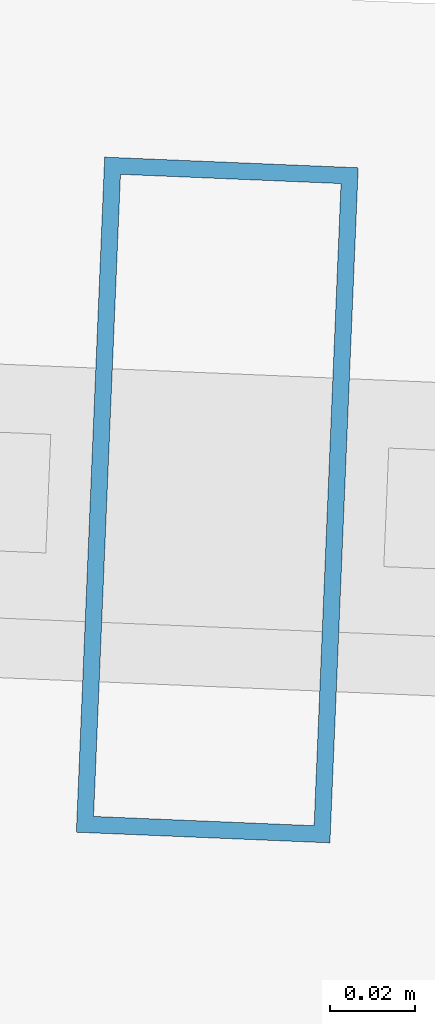
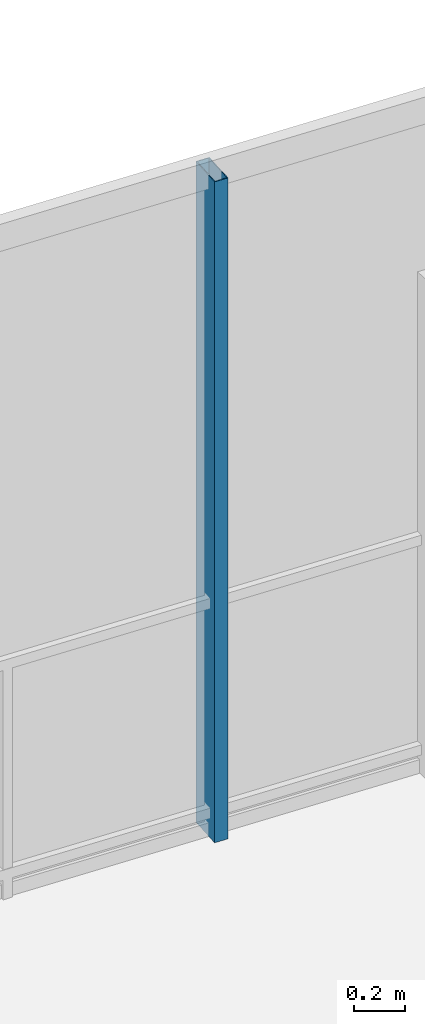
# One storey, part 18 of 30: 1 member, 1 element without a shape of its own.
"""IFC4 building model written with IfcOpenShell, lengths in metres."""

from ifc_helpers import new_model, si_unit, direction, frame, origin, origin_2d, place, context, subcontext, project, spatial, hollow_rectangle, extrude, material, layer, layer_set, material_profile, profile_set, type_object, element, aggregate, save


model = new_model("IFC4")

# Units and contexts
model_context = context("Model", 3, precision=1e-05, world=origin(), true_north=direction((0.0, 1.0)))
body_context = subcontext(model_context, "Body", "Model", "MODEL_VIEW")
ifc_project = project(units=[si_unit("LENGTHUNIT", "METRE"), si_unit("AREAUNIT", "SQUARE_METRE"), si_unit("VOLUMEUNIT", "CUBIC_METRE"), si_unit("PLANEANGLEUNIT", "RADIAN"), si_unit("MASSUNIT", "GRAM", prefix="KILO")], contexts=[model_context])

# Site, building, storey
site_placement = place(None, origin())
site = spatial("IfcSite", under=ifc_project, at=site_placement, CompositionType="ELEMENT")
building_placement = place(site_placement, origin())
building = spatial("IfcBuilding", under=site, at=building_placement, Name="Qarnah Convention Tower", CompositionType="ELEMENT")
storey_placement = place(building_placement, frame((0.0, 0.0, 58.050048828125)))
storey = spatial("IfcBuildingStorey", under=building, at=storey_placement, Name="L14", CompositionType="ELEMENT", Elevation=58.050048828125)

# Curtain wall, member
ifc_material_1 = material(Name="Tempered Low-E dark glass", Category="glass")
ifc_layer = layer(ifc_material_1, 0.16796875)
ifc_layer_set = layer_set([ifc_layer], Name="Tempered Low-E dark glass")
curtain_wall_type = type_object("IfcCurtainWallType", Name="CWS-01", PredefinedType="NOTDEFINED", material=ifc_layer_set)
curtain_wall_placement = place(storey_placement, origin())
curtain_wall = element("IfcCurtainWall", 1, at=curtain_wall_placement, inside=storey, type_object=curtain_wall_type, Name="L14 unitised curtain wall CW-L14-F3", PredefinedType="NOTDEFINED")
ifc_material_2 = material(Name="Black anodised aluminium", Category="aluminium")
ifc_material_profile = material_profile(ifc_material_2, hollow_rectangle(XDim=0.06005859375, YDim=0.159912109375, WallThickness=0.00390625, at=origin_2d()), Name="MUL-60X160")
ifc_profile_set = profile_set([ifc_material_profile], Name="Black anodised aluminium")
member_type = type_object("IfcMemberType", Name="MUL-T1", PredefinedType="MULLION", material=ifc_profile_set)
member_placement = place(storey_placement, frame((35.604248046875, 44.770263671875, 0.0), z_axis=(0.0, 0.0, 1.0), x_axis=(0.999122796479, -0.041876455876, 0.0)))
member = element("IfcMember", 2, at=member_placement, type_object=member_type, Name="CW-L14-F3 mullion 3", PredefinedType="MULLION", context=body_context, shape_type="SweptSolid", body=[
    extrude(hollow_rectangle(XDim=0.06005859375, YDim=0.159912109375, WallThickness=0.00390625, at=origin_2d()), origin(), (0.0, 0.0, 1.0), 3.169921875),
])
aggregate(curtain_wall, [member])

save(model, "model.ifc")
